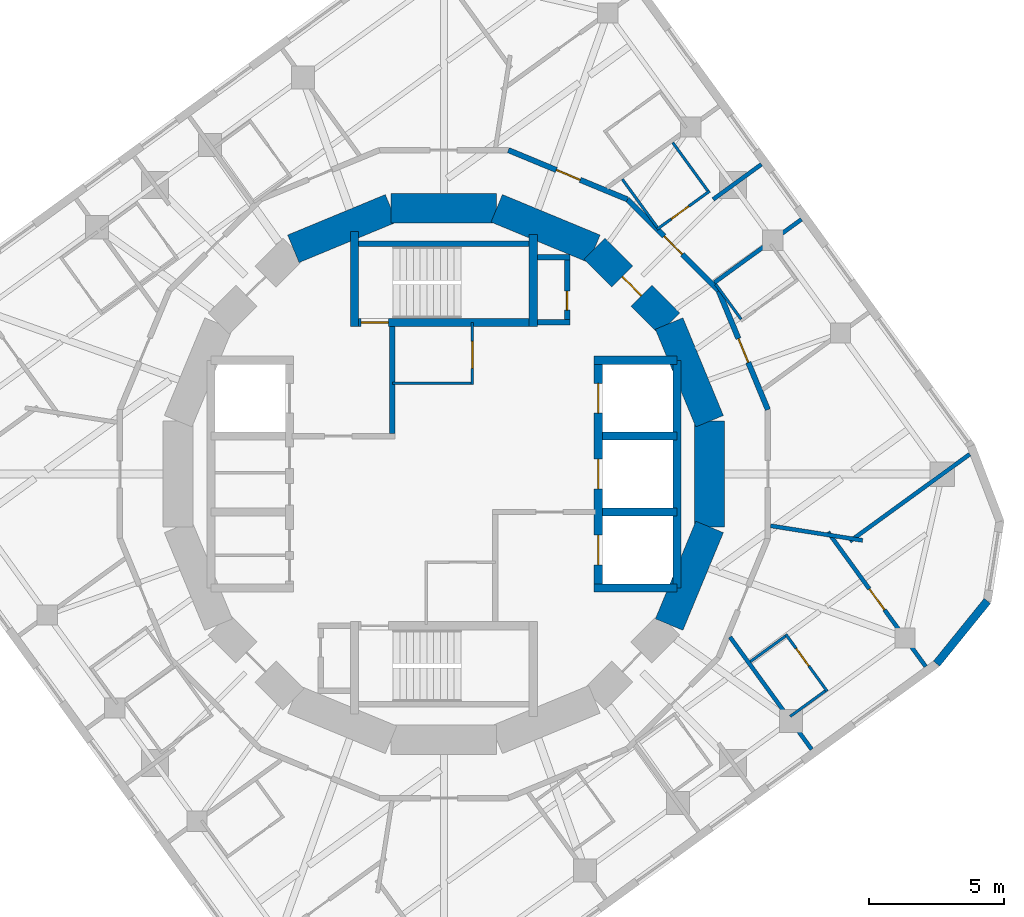
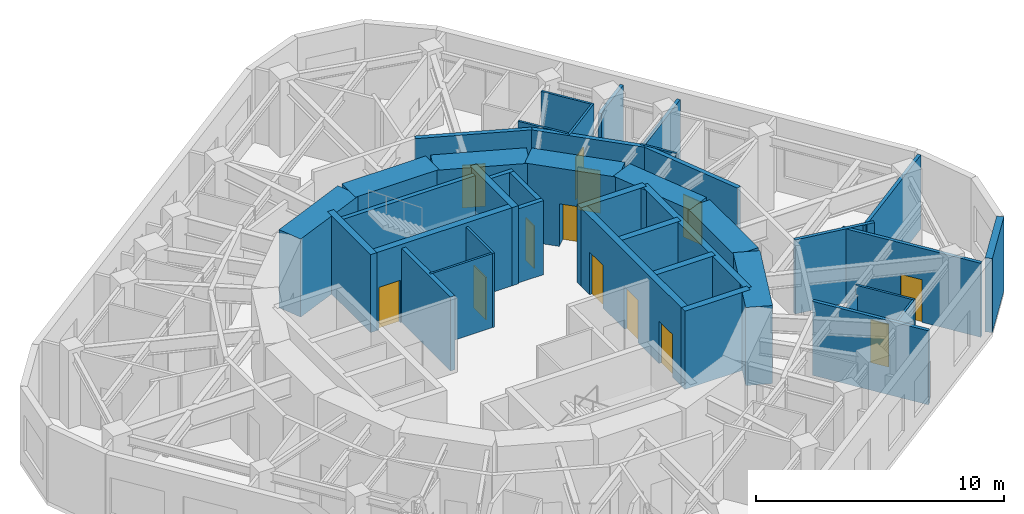
# One storey, part 6 of 9: 40 walls, 13 doors, 13 openings.
"""IFC4 building model written with IfcOpenShell, lengths in metres."""

import ifcopenshell
import ifcopenshell.guid

model = None  # the IFC model being written
_history = None  # IfcOwnerHistory: only IFC2X3 demands one
_inside = {}  # id of a spatial element -> (the spatial element, [elements in it])
_under = {}  # id of a project, library or spatial element -> (it, [spatial elements below it])
_declared = {}  # id of a project -> (the project, [libraries it declares])
_typed = {}  # id of a type object -> (the type object, [elements of that type])
_made_of = {}  # id of a material, layer set ... -> (it, [elements and type objects made of it])


def new_model(schema):
    """Start an empty IFC model of exactly this schema.

    Asked for "IFC4X3", IfcOpenShell would pick the latest addendum, in which some entities
    have other attributes; the version numbers below select the first issue.
    IFC2X3 requires an IfcOwnerHistory on every rooted entity: one is made here for all.
    """
    global model, _history
    if schema == "IFC4X3":
        model = ifcopenshell.file(schema_version=(4, 3, 0, 0))
    else:
        model = ifcopenshell.file(schema=schema)
    _inside.clear()
    _under.clear()
    _declared.clear()
    _typed.clear()
    _made_of.clear()
    _history = None
    if model.schema == "IFC2X3":
        org = make("IfcOrganization", Name="unknown")
        user = make(
            "IfcPersonAndOrganization",
            ThePerson=make("IfcPerson", FamilyName="unknown"),
            TheOrganization=org,
        )
        app = make(
            "IfcApplication",
            ApplicationDeveloper=org,
            Version="unknown",
            ApplicationFullName="unknown",
            ApplicationIdentifier="unknown",
        )
        _history = make(
            "IfcOwnerHistory",
            OwningUser=user,
            OwningApplication=app,
            ChangeAction="ADDED",
            CreationDate=0,
        )
    return model


def make(cls, **values):
    """One entity of the class cls with the attributes given. An attribute that is None is left unset."""
    return model.create_entity(
        cls, **{name: value for name, value in values.items() if value is not None}
    )


def rooted(cls, **values):
    """An entity with a GlobalId (a new one), such as an element, a storey or a relation."""
    return make(cls, GlobalId=ifcopenshell.guid.new(), OwnerHistory=_history, **values)


def si_unit(unit_type, name, prefix=None):
    """IfcSIUnit, for example si_unit("LENGTHUNIT", "METRE", prefix="MILLI")."""
    return make("IfcSIUnit", UnitType=unit_type, Prefix=prefix, Name=name)


def assignment(units):
    """IfcUnitAssignment: the units of a project."""
    return None if units is None else make("IfcUnitAssignment", Units=units)


def point(xyz):
    """IfcCartesianPoint."""
    return None if xyz is None else make("IfcCartesianPoint", Coordinates=xyz)


def direction(xyz):
    """IfcDirection."""
    return None if xyz is None else make("IfcDirection", DirectionRatios=xyz)


def frame(location, z_axis=None, x_axis=None):
    """IfcAxis2Placement3D, a coordinate frame: its origin and axes. An axis left out is left unset."""
    return make(
        "IfcAxis2Placement3D",
        Location=point(location),
        Axis=direction(z_axis),
        RefDirection=direction(x_axis),
    )


def frame_2d(location, x_axis=None):
    """IfcAxis2Placement2D, a coordinate frame in the plane: its origin and x axis."""
    return make(
        "IfcAxis2Placement2D", Location=point(location), RefDirection=direction(x_axis)
    )


def origin():
    """The frame at (0, 0, 0) with its axes left unset."""
    return frame((0.0, 0.0, 0.0))


def place(relative_to, where):
    """IfcLocalPlacement: puts the frame where relative to a parent placement (None: the world)."""
    return make(
        "IfcLocalPlacement", PlacementRelTo=relative_to, RelativePlacement=where
    )


def context(
    kind, dimensions, precision=None, world=None, true_north=None, identifier=None
):
    """IfcGeometricRepresentationContext, for example the 3D "Model" context."""
    return make(
        "IfcGeometricRepresentationContext",
        ContextIdentifier=identifier,
        ContextType=kind,
        CoordinateSpaceDimension=dimensions,
        Precision=precision,
        WorldCoordinateSystem=world,
        TrueNorth=true_north,
    )


def subcontext(parent, identifier, kind, view, scale=None):
    """IfcGeometricRepresentationSubContext, for example "Body" below "Model"."""
    return make(
        "IfcGeometricRepresentationSubContext",
        ContextIdentifier=identifier,
        ContextType=kind,
        ParentContext=parent,
        TargetScale=scale,
        TargetView=view,
    )


def project(units=None, contexts=None):
    """IfcProject with its units and contexts."""
    return rooted(
        "IfcProject",
        Name="project",
        RepresentationContexts=contexts,
        UnitsInContext=assignment(units),
    )


def spatial(cls, under=None, at=None, **own):
    """A site, building, storey or space (cls), placed at a placement, below another one or the project."""
    s = rooted(cls, ObjectPlacement=at, **own)
    if under is not None:
        _under.setdefault(under.id(), (under, []))[1].append(s)
    return s


def profile(cls, at=None, kind="AREA", **sizes):
    """A parametric profile (cls). Its sizes go by their IFC names, for example OverallWidth=200.0."""
    return make(cls, ProfileType=kind, Position=at, **sizes)


def rectangle(**sizes):
    """IfcRectangleProfileDef."""
    return profile("IfcRectangleProfileDef", **sizes)


def extrude(swept, where, along, depth):
    """IfcExtrudedAreaSolid: the profile swept, set in the frame where, extruded along a direction by depth."""
    return make(
        "IfcExtrudedAreaSolid",
        SweptArea=swept,
        Position=where,
        ExtrudedDirection=direction(along),
        Depth=depth,
    )


def shape(context_of_items, identifier, shape_type, items):
    """IfcShapeRepresentation: the items that make up one representation, for example the "Body"."""
    return make(
        "IfcShapeRepresentation",
        ContextOfItems=context_of_items,
        RepresentationIdentifier=identifier,
        RepresentationType=shape_type,
        Items=items,
    )


def material(Name=None, Category=None):
    """IfcMaterial."""
    return make("IfcMaterial", Name=Name, Category=Category)


def layer(
    of_material, thickness, ventilated=None, Name=None, Category=None, Priority=None
):
    """IfcMaterialLayer: one layer of a wall or slab, of a material (None: an air gap)."""
    return make(
        "IfcMaterialLayer",
        Material=of_material,
        LayerThickness=thickness,
        IsVentilated=ventilated,
        Name=Name,
        Category=Category,
        Priority=Priority,
    )


def layer_set(layers, Name=None):
    """IfcMaterialLayerSet."""
    return make("IfcMaterialLayerSet", MaterialLayers=layers, LayerSetName=Name)


def made_of(thing, what):
    """Note that an element or type object is made of a material, layer set ...; save() writes the relation."""
    if what is not None:
        _made_of.setdefault(what.id(), (what, []))[1].append(thing)
    return thing


def type_object(cls, material=None, **own):
    """A type object (cls), such as IfcWallType, which elements share."""
    return made_of(rooted(cls, **own), material)


def element(
    cls,
    number,
    at=None,
    inside=None,
    cuts=None,
    type_object=None,
    material=None,
    context=None,
    identifier="Body",
    shape_type=None,
    held_by="IfcProductDefinitionShape",
    body=None,
    shapes=None,
    **own,
):
    """One element of the class cls, such as IfcWall. Its Tag is "e" and its number.

    at: its placement. inside: the storey or other place that contains it. cuts: it is an
    opening in that element (IfcRelVoidsElement). A single representation is given by context,
    identifier, shape_type and body (its items); several are given by shapes. held_by: the class
    of the entity that holds the representations. save() writes the other relations.
    """
    e = rooted(cls, Tag="e%d" % number, ObjectPlacement=at, **own)
    if body is not None:
        shapes = [shape(context, identifier, shape_type, body)]
    if shapes is not None:
        e.Representation = make(held_by, Representations=shapes)
    if inside is not None:
        _inside.setdefault(inside.id(), (inside, []))[1].append(e)
    if cuts is not None:
        rooted(
            "IfcRelVoidsElement", RelatingBuildingElement=cuts, RelatedOpeningElement=e
        )
    if type_object is not None:
        _typed.setdefault(type_object.id(), (type_object, []))[1].append(e)
    return made_of(e, material)


def fill(opening, filler):
    """IfcRelFillsElement: the door or window that sits in an opening."""
    return rooted(
        "IfcRelFillsElement",
        RelatingOpeningElement=opening,
        RelatedBuildingElement=filler,
    )


def aggregate(whole, parts):
    """IfcRelAggregates: a whole, such as a stair, and the parts it consists of."""
    return rooted("IfcRelAggregates", RelatingObject=whole, RelatedObjects=parts)


def save(model, path):
    """Write the relations noted so far, then the file.

    IfcRelAggregates (storeys below a building ...), IfcRelContainedInSpatialStructure (elements
    in a storey), IfcRelDefinesByType, IfcRelAssociatesMaterial and IfcRelDeclares: one each for
    every whole, place, type object, material and project.
    """
    for whole, parts in _under.values():
        aggregate(whole, parts)
    for where, things in _inside.values():
        rooted(
            "IfcRelContainedInSpatialStructure",
            RelatedElements=things,
            RelatingStructure=where,
        )
    for kind, things in _typed.values():
        rooted("IfcRelDefinesByType", RelatedObjects=things, RelatingType=kind)
    for what, things in _made_of.values():
        rooted("IfcRelAssociatesMaterial", RelatedObjects=things, RelatingMaterial=what)
    for by, libraries in _declared.values():
        rooted("IfcRelDeclares", RelatingContext=by, RelatedDefinitions=libraries)
    model.write(path)


model = new_model("IFC4")

# Units and contexts
model_context = context("Model", 3, precision=1e-05, world=origin(), true_north=direction((0.0, 1.0)))
body_context = subcontext(model_context, "Body", "Model", "MODEL_VIEW")
ifc_project = project(units=[si_unit("LENGTHUNIT", "METRE"), si_unit("AREAUNIT", "SQUARE_METRE"), si_unit("VOLUMEUNIT", "CUBIC_METRE"), si_unit("PLANEANGLEUNIT", "RADIAN"), si_unit("MASSUNIT", "GRAM", prefix="KILO")], contexts=[model_context])

# Site, building, storey
site_placement = place(None, origin())
site = spatial("IfcSite", under=ifc_project, at=site_placement, CompositionType="ELEMENT")
building_placement = place(site_placement, origin())
building = spatial("IfcBuilding", under=site, at=building_placement, Name="Nakasero Lantern House", CompositionType="ELEMENT")
storey_placement = place(building_placement, frame((0.0, 0.0, 271.449951171875)))
storey = spatial("IfcBuildingStorey", under=building, at=storey_placement, Name="L66", CompositionType="ELEMENT", Elevation=271.449951171875)

# Wall, openings, doors
ifc_material_1 = material(Name="Concrete C50/60", Category="concrete")
ifc_layer_1 = layer(ifc_material_1, 0.300048828125)
ifc_layer_set_1 = layer_set([ifc_layer_1], Name="Core inner wall 300")
wall_type_1 = type_object("IfcWallType", Name="Core inner wall 300", PredefinedType="SHEAR", material=ifc_layer_set_1)
wall_1_placement = place(storey_placement, frame((5.699951171875, -4.199951171875, 0.0), z_axis=(0.0, 0.0, 1.0), x_axis=(0.0, 1.0, 0.0)))
wall_1 = element("IfcWall", 1, at=wall_1_placement, inside=storey, type_object=wall_type_1, Name="Core inner wall L66 LE", PredefinedType="SHEAR", context=body_context, shape_type="SweptSolid", body=[
    extrude(rectangle(XDim=8.39990234375, YDim=0.300048828125, at=frame_2d((4.199951171875, 0.0))), origin(), (0.0, 0.0, 1.0), 3.85009765625),
])
opening_1_placement = place(wall_1_placement, frame((0.85009765625, 0.0, 0.0)))
opening_1 = element("IfcOpeningElement", 2, at=opening_1_placement, cuts=wall_1, Name="Opening LD", PredefinedType="OPENING", context=body_context, shape_type="SweptSolid", body=[
    extrude(rectangle(XDim=1.10009765625, YDim=2.10009765625, at=frame_2d((0.550048828125, 1.050048828125))), frame((0.0, 0.169921875, 0.0), z_axis=(0.0, -1.0, 0.0), x_axis=(1.0, 0.0, 0.0)), (0.0, 0.0, 1.0), 0.340087890625),
])
opening_2_placement = place(wall_1_placement, frame((3.64990234375, 0.0, 0.0)))
opening_2 = element("IfcOpeningElement", 3, at=opening_2_placement, cuts=wall_1, Name="Opening LD", PredefinedType="OPENING", context=body_context, shape_type="SweptSolid", body=[
    extrude(rectangle(XDim=1.10009765625, YDim=2.10009765625, at=frame_2d((0.550048828125, 1.050048828125))), frame((0.0, 0.169921875, 0.0), z_axis=(0.0, -1.0, 0.0), x_axis=(1.0, 0.0, 0.0)), (0.0, 0.0, 1.0), 0.340087890625),
])
opening_3_placement = place(wall_1_placement, frame((6.449951171875, 0.0, 0.0)))
opening_3 = element("IfcOpeningElement", 4, at=opening_3_placement, cuts=wall_1, Name="Opening LD", PredefinedType="OPENING", context=body_context, shape_type="SweptSolid", body=[
    extrude(rectangle(XDim=1.10009765625, YDim=2.10009765625, at=frame_2d((0.550048828125, 1.050048828125))), frame((0.0, 0.169921875, 0.0), z_axis=(0.0, -1.0, 0.0), x_axis=(1.0, 0.0, 0.0)), (0.0, 0.0, 1.0), 0.340087890625),
])
ifc_material_2 = material(Name="Steel S355", Category="steel")
door_type_1 = type_object("IfcDoorType", Name="Lift landing door E120 1100", OperationType="SLIDING_TO_LEFT", PredefinedType="DOOR", material=ifc_material_2)
door_1_placement = place(opening_1_placement, origin())
door_1 = element("IfcDoor", 5, at=door_1_placement, inside=storey, type_object=door_type_1, Name="Lift landing door LE1", OperationType="SLIDING_TO_LEFT", OverallHeight=2.10009765625, OverallWidth=1.10009765625, PredefinedType="DOOR", context=body_context, shape_type="SweptSolid", body=[
    extrude(rectangle(XDim=1.10009765625, YDim=2.10009765625, at=frame_2d((0.550048828125, 1.050048828125))), frame((0.0, 0.02490234375, 0.0), z_axis=(0.0, -1.0, 0.0), x_axis=(1.0, 0.0, 0.0)), (0.0, 0.0, 1.0), 0.050048828125),
])
fill(opening_1, door_1)
door_2_placement = place(opening_2_placement, origin())
door_2 = element("IfcDoor", 6, at=door_2_placement, inside=storey, type_object=door_type_1, Name="Lift landing door LE2", OperationType="SLIDING_TO_LEFT", OverallHeight=2.10009765625, OverallWidth=1.10009765625, PredefinedType="DOOR", context=body_context, shape_type="SweptSolid", body=[
    extrude(rectangle(XDim=1.10009765625, YDim=2.10009765625, at=frame_2d((0.550048828125, 1.050048828125))), frame((0.0, 0.02490234375, 0.0), z_axis=(0.0, -1.0, 0.0), x_axis=(1.0, 0.0, 0.0)), (0.0, 0.0, 1.0), 0.050048828125),
])
fill(opening_2, door_2)
door_3_placement = place(opening_3_placement, origin())
door_3 = element("IfcDoor", 7, at=door_3_placement, inside=storey, type_object=door_type_1, Name="Lift landing door LE3", OperationType="SLIDING_TO_LEFT", OverallHeight=2.10009765625, OverallWidth=1.10009765625, PredefinedType="DOOR", context=body_context, shape_type="SweptSolid", body=[
    extrude(rectangle(XDim=1.10009765625, YDim=2.10009765625, at=frame_2d((0.550048828125, 1.050048828125))), frame((0.0, 0.02490234375, 0.0), z_axis=(0.0, -1.0, 0.0), x_axis=(1.0, 0.0, 0.0)), (0.0, 0.0, 1.0), 0.050048828125),
])
fill(opening_3, door_3)

# Walls
for number, where, z_axis, x_axis, name in (
    (8, (5.550048828125, 4.199951171875, 0.0), (0.0, 0.0, 1.0), (1.0, 0.0, 0.0), "Core inner wall L66 LEN"),
    (9, (5.550048828125, -4.199951171875, 0.0), (0.0, 0.0, 1.0), (1.0, 0.0, 0.0), "Core inner wall L66 LES"),
):
    element("IfcWall", number, at=place(storey_placement, frame(where, z_axis=z_axis, x_axis=x_axis)), inside=storey, type_object=wall_type_1, Name=name, PredefinedType="SHEAR", context=body_context, shape_type="SweptSolid", body=[
        extrude(rectangle(XDim=3.050048828125, YDim=0.300048828125, at=frame_2d((1.52490234375, 0.0))), origin(), (0.0, 0.0, 1.0), 3.85009765625),
    ])
wall_2_placement = place(storey_placement, frame((8.60009765625, -4.199951171875, 0.0), z_axis=(0.0, 0.0, 1.0), x_axis=(0.0, 1.0, 0.0)))
element("IfcWall", 10, at=wall_2_placement, inside=storey, type_object=wall_type_1, Name="Core inner wall L66 LEB", PredefinedType="SHEAR", context=body_context, shape_type="SweptSolid", body=[
    extrude(rectangle(XDim=8.39990234375, YDim=0.300048828125, at=frame_2d((4.199951171875, 0.0))), origin(), (0.0, 0.0, 1.0), 3.85009765625),
])
for number, where, z_axis, x_axis, name in (
    (11, (5.85009765625, -1.39990234375, 0.0), (0.0, 0.0, 1.0), (1.0, 0.0, 0.0), "Core inner wall L66 LE1"),
    (12, (5.85009765625, 1.39990234375, 0.0), (0.0, 0.0, 1.0), (1.0, 0.0, 0.0), "Core inner wall L66 LE2"),
):
    element("IfcWall", number, at=place(storey_placement, frame(where, z_axis=z_axis, x_axis=x_axis)), inside=storey, type_object=wall_type_1, Name=name, PredefinedType="SHEAR", context=body_context, shape_type="SweptSolid", body=[
        extrude(rectangle(XDim=2.75, YDim=0.300048828125, at=frame_2d((1.375, 0.0))), origin(), (0.0, 0.0, 1.0), 3.85009765625),
    ])

# Wall, opening, door
wall_3_placement = place(storey_placement, frame((-3.449951171875, 5.60009765625, 0.0), z_axis=(0.0, 0.0, 1.0), x_axis=(1.0, 0.0, 0.0)))
wall_3 = element("IfcWall", 13, at=wall_3_placement, inside=storey, type_object=wall_type_1, Name="Core inner wall L66 SN", PredefinedType="SHEAR", context=body_context, shape_type="SweptSolid", body=[
    extrude(rectangle(XDim=6.89990234375, YDim=0.300048828125, at=frame_2d((3.449951171875, 0.0))), origin(), (0.0, 0.0, 1.0), 3.85009765625),
])
opening_4_placement = place(wall_3_placement, frame((0.39990234375, 0.0, 0.0)))
opening_4 = element("IfcOpeningElement", 14, at=opening_4_placement, cuts=wall_3, Name="Opening D05", PredefinedType="OPENING", context=body_context, shape_type="SweptSolid", body=[
    extrude(rectangle(XDim=1.0, YDim=2.10009765625, at=frame_2d((0.5, 1.050048828125))), frame((0.0, 0.169921875, 0.0), z_axis=(0.0, -1.0, 0.0), x_axis=(1.0, 0.0, 0.0)), (0.0, 0.0, 1.0), 0.340087890625),
])
ifc_material_3 = material(Name="Timber C24", Category="wood")
door_type_2 = type_object("IfcDoorType", Name="Core door FD60S 1000", OperationType="SINGLE_SWING_LEFT", PredefinedType="DOOR", material=ifc_material_3)
door_4_placement = place(opening_4_placement, origin())
door_4 = element("IfcDoor", 15, at=door_4_placement, inside=storey, type_object=door_type_2, Name="Door L66 D-ST1", OperationType="SINGLE_SWING_LEFT", OverallHeight=2.10009765625, OverallWidth=1.0, PredefinedType="DOOR", context=body_context, shape_type="SweptSolid", body=[
    extrude(rectangle(XDim=1.0, YDim=2.10009765625, at=frame_2d((0.5, 1.050048828125))), frame((0.0, 0.02490234375, 0.0), z_axis=(0.0, -1.0, 0.0), x_axis=(1.0, 0.0, 0.0)), (0.0, 0.0, 1.0), 0.050048828125),
])
fill(opening_4, door_4)

# Walls
wall_4_placement = place(storey_placement, frame((-3.300048828125, 5.449951171875, 0.0), z_axis=(0.0, 0.0, 1.0), x_axis=(0.0, 1.0, 0.0)))
element("IfcWall", 16, at=wall_4_placement, inside=storey, type_object=wall_type_1, Name="Core inner wall L66 SNW", PredefinedType="SHEAR", context=body_context, shape_type="SweptSolid", body=[
    extrude(rectangle(XDim=3.5, YDim=0.300048828125, at=frame_2d((1.75, 0.0))), origin(), (0.0, 0.0, 1.0), 3.85009765625),
])
wall_5_placement = place(storey_placement, frame((3.300048828125, 5.449951171875, 0.0), z_axis=(0.0, 0.0, 1.0), x_axis=(0.0, 1.0, 0.0)))
element("IfcWall", 17, at=wall_5_placement, inside=storey, type_object=wall_type_1, Name="Core inner wall L66 SNE", PredefinedType="SHEAR", context=body_context, shape_type="SweptSolid", body=[
    extrude(rectangle(XDim=3.400146484375, YDim=0.300048828125, at=frame_2d((1.7001953125, 0.0))), origin(), (0.0, 0.0, 1.0), 3.85009765625),
])
ifc_material_4 = material(Name="Blockwork", Category="masonry")
ifc_layer_2 = layer(ifc_material_4, 0.10009765625)
ifc_layer_set_2 = layer_set([ifc_layer_2], Name="Core room wall 100")
wall_type_2 = type_object("IfcWallType", Name="Core room wall 100", PredefinedType="PARTITIONING", material=ifc_layer_set_2)
wall_6_placement = place(storey_placement, frame((-1.89990234375, 3.35009765625, 0.0), z_axis=(0.0, 0.0, 1.0), x_axis=(1.0, 0.0, 0.0)))
element("IfcWall", 18, at=wall_6_placement, inside=storey, type_object=wall_type_2, Name="Core room wall L66 CR-NES", PredefinedType="PARTITIONING", context=body_context, shape_type="SweptSolid", body=[
    extrude(rectangle(XDim=3.0, YDim=0.10009765625, at=frame_2d((1.5, 0.0))), origin(), (0.0, 0.0, 1.0), 3.650146484375),
])

# Wall, opening, door
wall_7_placement = place(storey_placement, frame((1.050048828125, 3.300048828125, 0.0), z_axis=(0.0, 0.0, 1.0), x_axis=(0.0, 1.0, 0.0)))
wall_7 = element("IfcWall", 19, at=wall_7_placement, inside=storey, type_object=wall_type_2, Name="Core room wall L66 CR-NEE", PredefinedType="PARTITIONING", context=body_context, shape_type="SweptSolid", body=[
    extrude(rectangle(XDim=2.300048828125, YDim=0.10009765625, at=frame_2d((1.14990234375, 0.0))), origin(), (0.0, 0.0, 1.0), 3.650146484375),
])
opening_5_placement = place(wall_7_placement, frame((0.60009765625, 0.0, 0.0)))
opening_5 = element("IfcOpeningElement", 20, at=opening_5_placement, cuts=wall_7, Name="Opening D13", PredefinedType="OPENING", context=body_context, shape_type="SweptSolid", body=[
    extrude(rectangle(XDim=1.0, YDim=2.10009765625, at=frame_2d((0.5, 1.050048828125))), frame((0.0, 0.070068359375, 0.0), z_axis=(0.0, -1.0, 0.0), x_axis=(1.0, 0.0, 0.0)), (0.0, 0.0, 1.0), 0.14013671875),
])
ifc_material_5 = material(Name="Steel S355", Category="steel")
door_type_3 = type_object("IfcDoorType", Name="Plant room door FD60 1000", OperationType="SINGLE_SWING_LEFT", PredefinedType="DOOR", material=ifc_material_5)
door_5_placement = place(opening_5_placement, origin())
door_5 = element("IfcDoor", 21, at=door_5_placement, inside=storey, type_object=door_type_3, Name="Door L66 D-CR-NE", OperationType="SINGLE_SWING_LEFT", OverallHeight=2.10009765625, OverallWidth=1.0, PredefinedType="DOOR", context=body_context, shape_type="SweptSolid", body=[
    extrude(rectangle(XDim=1.0, YDim=2.10009765625, at=frame_2d((0.5, 1.050048828125))), frame((0.0, 0.02490234375, 0.0), z_axis=(0.0, -1.0, 0.0), x_axis=(1.0, 0.0, 0.0)), (0.0, 0.0, 1.0), 0.050048828125),
])
fill(opening_5, door_5)

# Wall
ifc_material_6 = material(Name="Concrete C50/60", Category="concrete")
ifc_layer_3 = layer(ifc_material_6, 1.10009765625)
ifc_layer_set_3 = layer_set([ifc_layer_3], Name="Core wall 1100")
wall_type_3 = type_object("IfcWallType", Name="Core wall 1100", PredefinedType="SHEAR", material=ifc_layer_set_3)
wall_8_placement = place(storey_placement, frame((9.807861328125, 1.950927734375, 0.0), z_axis=(0.0, 0.0, 1.0), x_axis=(-0.382690736062, 0.923876507187, 0.0)))
element("IfcWall", 22, at=wall_8_placement, inside=storey, type_object=wall_type_3, Name="Core wall L66 facet 1", PredefinedType="SHEAR", context=body_context, shape_type="SweptSolid", body=[
    extrude(rectangle(XDim=3.90185546875, YDim=1.10009765625, at=frame_2d((1.950927734375, 0.0))), origin(), (0.0, 0.0, 1.0), 3.85009765625),
])

# Wall, opening, door
wall_9_placement = place(storey_placement, frame((8.314697265625, 5.5556640625, 0.0), z_axis=(0.0, 0.0, 1.0), x_axis=(-0.707106781187, 0.707106781187, 0.0)))
wall_9 = element("IfcWall", 23, at=wall_9_placement, inside=storey, type_object=wall_type_3, Name="Core wall L66 facet 2", PredefinedType="SHEAR", context=body_context, shape_type="SweptSolid", body=[
    extrude(rectangle(XDim=3.90185546875, YDim=1.10009765625, at=frame_2d((1.950927734375, 0.0))), origin(), (0.0, 0.0, 1.0), 3.85009765625),
])
opening_6_placement = place(wall_9_placement, frame((1.450927734375, 0.0, 0.0)))
opening_6 = element("IfcOpeningElement", 24, at=opening_6_placement, cuts=wall_9, Name="Opening D05", PredefinedType="OPENING", context=body_context, shape_type="SweptSolid", body=[
    extrude(rectangle(XDim=1.0, YDim=2.10009765625, at=frame_2d((0.5, 1.050048828125))), frame((0.0, 0.570068359375, 0.0), z_axis=(0.0, -1.0, 0.0), x_axis=(1.0, 0.0, 0.0)), (0.0, 0.0, 1.0), 1.14013671875),
])
door_6_placement = place(opening_6_placement, origin())
door_6 = element("IfcDoor", 25, at=door_6_placement, inside=storey, type_object=door_type_2, Name="Door L66 D-CORE02", OperationType="SINGLE_SWING_LEFT", OverallHeight=2.10009765625, OverallWidth=1.0, PredefinedType="DOOR", context=body_context, shape_type="SweptSolid", body=[
    extrude(rectangle(XDim=1.0, YDim=2.10009765625, at=frame_2d((0.5, 1.050048828125))), frame((0.0, 0.02490234375, 0.0), z_axis=(0.0, -1.0, 0.0), x_axis=(1.0, 0.0, 0.0)), (0.0, 0.0, 1.0), 0.050048828125),
])
fill(opening_6, door_6)

# Walls
for number, where, z_axis, x_axis, name in (
    (26, (5.5556640625, 8.314697265625, 0.0), (0.0, 0.0, 1.0), (-0.923876507187, 0.382690736062, 0.0), "Core wall L66 facet 3"),
    (27, (1.950927734375, 9.807861328125, 0.0), (0.0, 0.0, 1.0), (-1.0, 0.0, 0.0), "Core wall L66 facet 4"),
    (28, (-1.950927734375, 9.807861328125, 0.0), (0.0, 0.0, 1.0), (-0.923876507187, -0.382690736062, 0.0), "Core wall L66 facet 5"),
    (29, (8.314697265625, -5.5556640625, 0.0), (0.0, 0.0, 1.0), (0.382690736062, 0.923876507187, 0.0), "Core wall L66 facet 15"),
    (30, (9.807861328125, -1.950927734375, 0.0), (0.0, 0.0, 1.0), (0.0, 1.0, 0.0), "Core wall L66 facet 16"),
):
    element("IfcWall", number, at=place(storey_placement, frame(where, z_axis=z_axis, x_axis=x_axis)), inside=storey, type_object=wall_type_3, Name=name, PredefinedType="SHEAR", context=body_context, shape_type="SweptSolid", body=[
        extrude(rectangle(XDim=3.90185546875, YDim=1.10009765625, at=frame_2d((1.950927734375, 0.0))), origin(), (0.0, 0.0, 1.0), 3.85009765625),
    ])

# Wall, opening, door
ifc_material_7 = material(Name="Blockwork", Category="masonry")
ifc_layer_4 = layer(ifc_material_7, 0.199951171875)
ifc_layer_set_4 = layer_set([ifc_layer_4], Name="Corridor wall 200")
wall_type_4 = type_object("IfcWallType", Name="Corridor wall 200", PredefinedType="PARTITIONING", material=ifc_layer_set_4)
wall_10_placement = place(storey_placement, frame((2.378662109375, 11.957763671875, 0.0), z_axis=(0.0, 0.0, 1.0), x_axis=(0.923891735412, -0.382653970627, 0.0)))
wall_10 = element("IfcWall", 31, at=wall_10_placement, inside=storey, type_object=wall_type_4, Name="Corridor wall L66 RC13a", PredefinedType="PARTITIONING", context=body_context, shape_type="SweptSolid", body=[
    extrude(rectangle(XDim=4.757080078125, YDim=0.199951171875, at=frame_2d((2.37841796875, 0.0))), origin(), (0.0, 0.0, 1.0), 3.650146484375),
])
opening_7_placement = place(wall_10_placement, frame((1.919921875, 0.0, 0.0)))
opening_7 = element("IfcOpeningElement", 32, at=opening_7_placement, cuts=wall_10, Name="Opening D01", PredefinedType="OPENING", context=body_context, shape_type="SweptSolid", body=[
    extrude(rectangle(XDim=0.949951171875, YDim=2.10009765625, at=frame_2d((0.47509765625, 1.050048828125))), frame((0.0, 0.119873046875, 0.0), z_axis=(0.0, -1.0, 0.0), x_axis=(1.0, 0.0, 0.0)), (0.0, 0.0, 1.0), 0.239990234375),
])
ifc_material_8 = material(Name="Timber C24", Category="wood")
door_type_4 = type_object("IfcDoorType", Name="Bedroom door FD30S 950", OperationType="SINGLE_SWING_LEFT", PredefinedType="DOOR", material=ifc_material_8)
door_7_placement = place(opening_7_placement, origin())
door_7 = element("IfcDoor", 33, at=door_7_placement, inside=storey, type_object=door_type_4, Name="Door L66 D0-06", OperationType="SINGLE_SWING_RIGHT", OverallHeight=2.10009765625, OverallWidth=0.949951171875, PredefinedType="DOOR", context=body_context, shape_type="SweptSolid", body=[
    extrude(rectangle(XDim=0.949951171875, YDim=2.10009765625, at=frame_2d((0.47509765625, 1.050048828125))), frame((0.0, 0.02490234375, 0.0), z_axis=(0.0, -1.0, 0.0), x_axis=(1.0, 0.0, 0.0)), (0.0, 0.0, 1.0), 0.050048828125),
])
fill(opening_7, door_7)

wall_11_placement = place(storey_placement, frame((6.773681640625, 10.137451171875, 0.0), z_axis=(0.0, 0.0, 1.0), x_axis=(0.707106781187, -0.707106781187, 0.0)))
wall_11 = element("IfcWall", 34, at=wall_11_placement, inside=storey, type_object=wall_type_4, Name="Corridor wall L66 RC14a", PredefinedType="PARTITIONING", context=body_context, shape_type="SweptSolid", body=[
    extrude(rectangle(XDim=4.757080078125, YDim=0.199951171875, at=frame_2d((2.37841796875, 0.0))), origin(), (0.0, 0.0, 1.0), 3.650146484375),
])
opening_8_placement = place(wall_11_placement, frame((1.919921875, 0.0, 0.0)))
opening_8 = element("IfcOpeningElement", 35, at=opening_8_placement, cuts=wall_11, Name="Opening D01", PredefinedType="OPENING", context=body_context, shape_type="SweptSolid", body=[
    extrude(rectangle(XDim=0.949951171875, YDim=2.10009765625, at=frame_2d((0.47509765625, 1.050048828125))), frame((0.0, 0.119873046875, 0.0), z_axis=(0.0, -1.0, 0.0), x_axis=(1.0, 0.0, 0.0)), (0.0, 0.0, 1.0), 0.239990234375),
])
door_8_placement = place(opening_8_placement, origin())
door_8 = element("IfcDoor", 36, at=door_8_placement, inside=storey, type_object=door_type_4, Name="Door L66 D0-04", OperationType="SINGLE_SWING_RIGHT", OverallHeight=2.10009765625, OverallWidth=0.949951171875, PredefinedType="DOOR", context=body_context, shape_type="SweptSolid", body=[
    extrude(rectangle(XDim=0.949951171875, YDim=2.10009765625, at=frame_2d((0.47509765625, 1.050048828125))), frame((0.0, 0.02490234375, 0.0), z_axis=(0.0, -1.0, 0.0), x_axis=(1.0, 0.0, 0.0)), (0.0, 0.0, 1.0), 0.050048828125),
])
fill(opening_8, door_8)

wall_12_placement = place(storey_placement, frame((10.137451171875, 6.773681640625, 0.0), z_axis=(0.0, 0.0, 1.0), x_axis=(0.382653970627, -0.923891735412, 0.0)))
wall_12 = element("IfcWall", 37, at=wall_12_placement, inside=storey, type_object=wall_type_4, Name="Corridor wall L66 RC15a", PredefinedType="PARTITIONING", context=body_context, shape_type="SweptSolid", body=[
    extrude(rectangle(XDim=4.757080078125, YDim=0.199951171875, at=frame_2d((2.37841796875, 0.0))), origin(), (0.0, 0.0, 1.0), 3.650146484375),
])
opening_9_placement = place(wall_12_placement, frame((1.919921875, 0.0, 0.0)))
opening_9 = element("IfcOpeningElement", 38, at=opening_9_placement, cuts=wall_12, Name="Opening D01", PredefinedType="OPENING", context=body_context, shape_type="SweptSolid", body=[
    extrude(rectangle(XDim=0.949951171875, YDim=2.10009765625, at=frame_2d((0.47509765625, 1.050048828125))), frame((0.0, 0.119873046875, 0.0), z_axis=(0.0, -1.0, 0.0), x_axis=(1.0, 0.0, 0.0)), (0.0, 0.0, 1.0), 0.239990234375),
])
door_9_placement = place(opening_9_placement, origin())
door_9 = element("IfcDoor", 39, at=door_9_placement, inside=storey, type_object=door_type_4, Name="Door L66 D0-03", OperationType="SINGLE_SWING_RIGHT", OverallHeight=2.10009765625, OverallWidth=0.949951171875, PredefinedType="DOOR", context=body_context, shape_type="SweptSolid", body=[
    extrude(rectangle(XDim=0.949951171875, YDim=2.10009765625, at=frame_2d((0.47509765625, 1.050048828125))), frame((0.0, 0.02490234375, 0.0), z_axis=(0.0, -1.0, 0.0), x_axis=(1.0, 0.0, 0.0)), (0.0, 0.0, 1.0), 0.050048828125),
])
fill(opening_9, door_9)

# Wall
ifc_material_9 = material(Name="Blockwork", Category="masonry")
ifc_layer_5 = layer(ifc_material_9, 0.10009765625)
ifc_layer_set_5 = layer_set([ifc_layer_5], Name="En-suite wall 100")
wall_type_5 = type_object("IfcWallType", Name="En-suite wall 100", PredefinedType="PARTITIONING", material=ifc_layer_set_5)
wall_13_placement = place(storey_placement, frame((10.9716796875, 5.713623046875, 0.0), z_axis=(0.0, 0.0, 1.0), x_axis=(-0.587772420479, 0.809026317077, 0.0)))
element("IfcWall", 40, at=wall_13_placement, inside=storey, type_object=wall_type_5, Name="En-suite wall L66 EI0-03", PredefinedType="PARTITIONING", context=body_context, shape_type="SweptSolid", body=[
    extrude(rectangle(XDim=1.60009765625, YDim=0.10009765625, at=frame_2d((0.800048828125, 0.0))), origin(), (0.0, 0.0, 1.0), 3.650146484375),
])

# Wall, opening, door
wall_14_placement = place(storey_placement, frame((7.867431640625, 9.0341796875, 0.0), z_axis=(0.0, 0.0, 1.0), x_axis=(0.809026317077, 0.587772420479, 0.0)))
wall_14 = element("IfcWall", 41, at=wall_14_placement, inside=storey, type_object=wall_type_5, Name="En-suite wall L66 ES0-04", PredefinedType="PARTITIONING", context=body_context, shape_type="SweptSolid", body=[
    extrude(rectangle(XDim=2.39990234375, YDim=0.10009765625, at=frame_2d((1.199951171875, 0.0))), origin(), (0.0, 0.0, 1.0), 3.650146484375),
])
opening_10_placement = place(wall_14_placement, frame((0.64990234375, 0.0, 0.0)))
opening_10 = element("IfcOpeningElement", 42, at=opening_10_placement, cuts=wall_14, Name="Opening D02", PredefinedType="OPENING", context=body_context, shape_type="SweptSolid", body=[
    extrude(rectangle(XDim=0.800048828125, YDim=2.10009765625, at=frame_2d((0.39990234375, 1.050048828125))), frame((0.0, 0.070068359375, 0.0), z_axis=(0.0, -1.0, 0.0), x_axis=(1.0, 0.0, 0.0)), (0.0, 0.0, 1.0), 0.14013671875),
])
ifc_material_10 = material(Name="Timber C24", Category="wood")
door_type_5 = type_object("IfcDoorType", Name="En-suite door 800", OperationType="SINGLE_SWING_RIGHT", PredefinedType="DOOR", material=ifc_material_10)
door_10_placement = place(opening_10_placement, origin())
door_10 = element("IfcDoor", 43, at=door_10_placement, inside=storey, type_object=door_type_5, Name="Door L66 DE0-04", OperationType="SINGLE_SWING_LEFT", OverallHeight=2.10009765625, OverallWidth=0.800048828125, PredefinedType="DOOR", context=body_context, shape_type="SweptSolid", body=[
    extrude(rectangle(XDim=0.800048828125, YDim=2.10009765625, at=frame_2d((0.39990234375, 1.050048828125))), frame((0.0, 0.02490234375, 0.0), z_axis=(0.0, -1.0, 0.0), x_axis=(1.0, 0.0, 0.0)), (0.0, 0.0, 1.0), 0.050048828125),
])
fill(opening_10, door_10)

# Walls
for number, where, z_axis, x_axis, name in (
    (44, (9.7392578125, 10.4560546875, 0.0), (0.0, 0.0, 1.0), (-0.587821928992, 0.808990345923, 0.0), "En-suite wall L66 EE0-04"),
    (45, (7.87841796875, 9.10400390625, 0.0), (0.0, 0.0, 1.0), (-0.587749294152, 0.809043118272, 0.0), "En-suite wall L66 EI0-04"),
):
    element("IfcWall", number, at=place(storey_placement, frame(where, z_axis=z_axis, x_axis=x_axis)), inside=storey, type_object=wall_type_5, Name=name, PredefinedType="PARTITIONING", context=body_context, shape_type="SweptSolid", body=[
        extrude(rectangle(XDim=2.199951171875, YDim=0.10009765625, at=frame_2d((1.10009765625, 0.0))), origin(), (0.0, 0.0, 1.0), 3.650146484375),
    ])

# Wall, opening, door
wall_15_placement = place(storey_placement, frame((12.619384765625, -5.91162109375, 0.0), z_axis=(0.0, 0.0, 1.0), x_axis=(0.587730526155, -0.809056752413, 0.0)))
wall_15 = element("IfcWall", 46, at=wall_15_placement, inside=storey, type_object=wall_type_5, Name="En-suite wall L66 ES3-06", PredefinedType="PARTITIONING", context=body_context, shape_type="SweptSolid", body=[
    extrude(rectangle(XDim=2.599853515625, YDim=0.10009765625, at=frame_2d((1.2998046875, 0.0))), origin(), (0.0, 0.0, 1.0), 3.650146484375),
])
opening_11_placement = place(wall_15_placement, frame((0.64990234375, 0.0, 0.0)))
opening_11 = element("IfcOpeningElement", 47, at=opening_11_placement, cuts=wall_15, Name="Opening D02", PredefinedType="OPENING", context=body_context, shape_type="SweptSolid", body=[
    extrude(rectangle(XDim=0.800048828125, YDim=2.10009765625, at=frame_2d((0.39990234375, 1.050048828125))), frame((0.0, 0.070068359375, 0.0), z_axis=(0.0, -1.0, 0.0), x_axis=(1.0, 0.0, 0.0)), (0.0, 0.0, 1.0), 0.14013671875),
])
door_11_placement = place(opening_11_placement, origin())
door_11 = element("IfcDoor", 48, at=door_11_placement, inside=storey, type_object=door_type_5, Name="Door L66 DE3-06", OperationType="SINGLE_SWING_LEFT", OverallHeight=2.10009765625, OverallWidth=0.800048828125, PredefinedType="DOOR", context=body_context, shape_type="SweptSolid", body=[
    extrude(rectangle(XDim=0.800048828125, YDim=2.10009765625, at=frame_2d((0.39990234375, 1.050048828125))), frame((0.0, 0.02490234375, 0.0), z_axis=(0.0, -1.0, 0.0), x_axis=(1.0, 0.0, 0.0)), (0.0, 0.0, 1.0), 0.050048828125),
])
fill(opening_11, door_11)

# Walls
wall_16_placement = place(storey_placement, frame((12.783203125, -8.9443359375, 0.0), z_axis=(0.0, 0.0, 1.0), x_axis=(0.809026317077, 0.587772420479, 0.0)))
element("IfcWall", 49, at=wall_16_placement, inside=storey, type_object=wall_type_5, Name="En-suite wall L66 EE3-06", PredefinedType="PARTITIONING", context=body_context, shape_type="SweptSolid", body=[
    extrude(rectangle(XDim=1.60009765625, YDim=0.10009765625, at=frame_2d((0.800048828125, 0.0))), origin(), (0.0, 0.0, 1.0), 3.650146484375),
])
wall_17_placement = place(storey_placement, frame((11.313720703125, -6.921875, 0.0), z_axis=(0.0, 0.0, 1.0), x_axis=(0.809026317077, 0.587772420479, 0.0)))
element("IfcWall", 50, at=wall_17_placement, inside=storey, type_object=wall_type_5, Name="En-suite wall L66 EI3-06", PredefinedType="PARTITIONING", context=body_context, shape_type="SweptSolid", body=[
    extrude(rectangle(XDim=1.60009765625, YDim=0.10009765625, at=frame_2d((0.800048828125, 0.0))), origin(), (0.0, 0.0, 1.0), 3.18994140625),
])
ifc_material_11 = material(Name="Aluminium rainscreen on blockwork", Category="masonry")
ifc_layer_6 = layer(ifc_material_11, 0.300048828125)
ifc_layer_set_6 = layer_set([ifc_layer_6], Name="Facade wall 300")
wall_type_6 = type_object("IfcWallType", Name="Facade wall 300", PredefinedType="SOLIDWALL", material=ifc_layer_set_6)
wall_18_placement = place(storey_placement, frame((18.185791015625, -6.996826171875, 0.0), z_axis=(0.0, 0.0, 1.0), x_axis=(0.629375183362, 0.777101588319, 0.0)))
element("IfcWall", 51, at=wall_18_placement, inside=storey, type_object=wall_type_6, Name="Facade wall L66 FW3C1", PredefinedType="SOLIDWALL", context=body_context, shape_type="SweptSolid", body=[
    extrude(rectangle(XDim=2.976318359375, YDim=0.300048828125, at=frame_2d((1.48828125, 0.0))), origin(), (0.0, 0.0, 1.0), 3.650146484375),
])
ifc_material_12 = material(Name="Blockwork", Category="masonry")
ifc_layer_7 = layer(ifc_material_12, 0.199951171875)
ifc_layer_set_7 = layer_set([ifc_layer_7], Name="Fire lobby wall 200")
wall_type_7 = type_object("IfcWallType", Name="Fire lobby wall 200", PredefinedType="PARTITIONING", material=ifc_layer_set_7)
wall_19_placement = place(storey_placement, frame((-1.89990234375, 1.5, 0.0), z_axis=(0.0, 0.0, 1.0), x_axis=(0.0, 1.0, 0.0)))
element("IfcWall", 52, at=wall_19_placement, inside=storey, type_object=wall_type_7, Name="Fire lobby wall L66 W-FL1E", PredefinedType="PARTITIONING", context=body_context, shape_type="SweptSolid", body=[
    extrude(rectangle(XDim=3.949951171875, YDim=0.199951171875, at=frame_2d((1.97509765625, 0.0))), origin(), (0.0, 0.0, 1.0), 3.650146484375),
])

# Wall, opening, door
wall_20_placement = place(storey_placement, frame((4.550048828125, 5.60009765625, 0.0), z_axis=(0.0, 0.0, 1.0), x_axis=(0.0, 1.0, 0.0)))
wall_20 = element("IfcWall", 53, at=wall_20_placement, inside=storey, type_object=wall_type_7, Name="Fire lobby wall L66 W-RS1E", PredefinedType="PARTITIONING", context=body_context, shape_type="SweptSolid", body=[
    extrude(rectangle(XDim=2.39990234375, YDim=0.199951171875, at=frame_2d((1.199951171875, 0.0))), origin(), (0.0, 0.0, 1.0), 3.650146484375),
])
opening_12_placement = place(wall_20_placement, frame((0.449951171875, 0.0, 0.0)))
opening_12 = element("IfcOpeningElement", 54, at=opening_12_placement, cuts=wall_20, Name="Opening D06", PredefinedType="OPENING", context=body_context, shape_type="SweptSolid", body=[
    extrude(rectangle(XDim=0.699951171875, YDim=2.10009765625, at=frame_2d((0.35009765625, 1.050048828125))), frame((0.0, 0.119873046875, 0.0), z_axis=(0.0, -1.0, 0.0), x_axis=(1.0, 0.0, 0.0)), (0.0, 0.0, 1.0), 0.239990234375),
])
ifc_material_13 = material(Name="Steel S355", Category="steel")
door_type_6 = type_object("IfcDoorType", Name="Riser door FD60 700", OperationType="SINGLE_SWING_LEFT", PredefinedType="DOOR", material=ifc_material_13)
door_12_placement = place(opening_12_placement, origin())
door_12 = element("IfcDoor", 55, at=door_12_placement, inside=storey, type_object=door_type_6, Name="Door L66 D-RS1", OperationType="SINGLE_SWING_LEFT", OverallHeight=2.10009765625, OverallWidth=0.699951171875, PredefinedType="DOOR", context=body_context, shape_type="SweptSolid", body=[
    extrude(rectangle(XDim=0.699951171875, YDim=2.10009765625, at=frame_2d((0.35009765625, 1.050048828125))), frame((0.0, 0.02490234375, 0.0), z_axis=(0.0, -1.0, 0.0), x_axis=(1.0, 0.0, 0.0)), (0.0, 0.0, 1.0), 0.050048828125),
])
fill(opening_12, door_12)

# Walls
for number, where, z_axis, x_axis, name in (
    (56, (3.449951171875, 8.0, 0.0), (0.0, 0.0, 1.0), (1.0, 0.0, 0.0), "Fire lobby wall L66 W-RS1N"),
    (57, (3.449951171875, 5.60009765625, 0.0), (0.0, 0.0, 1.0), (1.0, 0.0, 0.0), "Fire lobby wall L66 W-RS1S"),
):
    element("IfcWall", number, at=place(storey_placement, frame(where, z_axis=z_axis, x_axis=x_axis)), inside=storey, type_object=wall_type_7, Name=name, PredefinedType="PARTITIONING", context=body_context, shape_type="SweptSolid", body=[
        extrude(rectangle(XDim=1.199951171875, YDim=0.199951171875, at=frame_2d((0.60009765625, 0.0))), origin(), (0.0, 0.0, 1.0), 3.650146484375),
    ])
wall_21_placement = place(storey_placement, frame((-3.300048828125, 8.5, 0.0), z_axis=(0.0, 0.0, 1.0), x_axis=(1.0, 0.0, 0.0)))
element("IfcWall", 58, at=wall_21_placement, inside=storey, type_object=wall_type_7, Name="Fire lobby wall L66 W-STN", PredefinedType="PARTITIONING", context=body_context, shape_type="SweptSolid", body=[
    extrude(rectangle(XDim=6.60009765625, YDim=0.199951171875, at=frame_2d((3.300048828125, 0.0))), origin(), (0.0, 0.0, 1.0), 3.650146484375),
])
ifc_material_14 = material(Name="Blockwork", Category="masonry")
ifc_layer_8 = layer(ifc_material_14, 0.14990234375)
ifc_layer_set_8 = layer_set([ifc_layer_8], Name="Party wall 150")
wall_type_8 = type_object("IfcWallType", Name="Party wall 150", PredefinedType="PARTITIONING", material=ifc_layer_set_8)
wall_22_placement = place(storey_placement, frame((9.939208984375, 10.13818359375, 0.0), z_axis=(0.0, 0.0, 1.0), x_axis=(0.808990345923, 0.587821928992, 0.0)))
element("IfcWall", 59, at=wall_22_placement, inside=storey, type_object=wall_type_8, Name="Party wall L66 PN0-05", PredefinedType="PARTITIONING", context=body_context, shape_type="SweptSolid", body=[
    extrude(rectangle(XDim=2.199951171875, YDim=0.14990234375, at=frame_2d((1.10009765625, 0.0))), origin(), (0.0, 0.0, 1.0), 3.295166015625),
])
wall_23_placement = place(storey_placement, frame((14.9853515625, -2.48095703125, 0.0), z_axis=(0.0, 0.0, 1.0), x_axis=(0.809023745549, 0.587775959987, 0.0)))
element("IfcWall", 60, at=wall_23_placement, inside=storey, type_object=wall_type_8, Name="Party wall L66 PW0-01", PredefinedType="PARTITIONING", context=body_context, shape_type="SweptSolid", body=[
    extrude(rectangle(XDim=5.466552734375, YDim=0.14990234375, at=frame_2d((2.7333984375, 0.0))), origin(), (0.0, 0.0, 1.0), 3.650146484375),
])
wall_24_placement = place(storey_placement, frame((9.985107421875, 7.067138671875, 0.0), z_axis=(0.0, 0.0, 1.0), x_axis=(0.809004739075, 0.587802119896, 0.0)))
element("IfcWall", 61, at=wall_24_placement, inside=storey, type_object=wall_type_8, Name="Party wall L66 PW0-04", PredefinedType="PARTITIONING", context=body_context, shape_type="SweptSolid", body=[
    extrude(rectangle(XDim=3.9677734375, YDim=0.14990234375, at=frame_2d((1.98388671875, 0.0))), origin(), (0.0, 0.0, 1.0), 3.295166015625),
])
wall_25_placement = place(storey_placement, frame((10.560791015625, -6.012939453125, 0.0), z_axis=(0.0, 0.0, 1.0), x_axis=(0.587780977736, -0.809020100005, 0.0)))
element("IfcWall", 62, at=wall_25_placement, inside=storey, type_object=wall_type_8, Name="Party wall L66 PW3-06", PredefinedType="PARTITIONING", context=body_context, shape_type="SweptSolid", body=[
    extrude(rectangle(XDim=5.1279296875, YDim=0.14990234375, at=frame_2d((2.56396484375, 0.0))), origin(), (0.0, 0.0, 1.0), 3.650146484375),
])

# Wall, opening, door
wall_26_placement = place(storey_placement, frame((14.1767578125, -2.137939453125, 0.0), z_axis=(0.0, 0.0, 1.0), x_axis=(0.587774266883, -0.809024975628, 0.0)))
wall_26 = element("IfcWall", 63, at=wall_26_placement, inside=storey, type_object=wall_type_8, Name="Party wall L66 PW3-07", PredefinedType="PARTITIONING", context=body_context, shape_type="SweptSolid", body=[
    extrude(rectangle(XDim=6.137451171875, YDim=0.14990234375, at=frame_2d((3.06884765625, 0.0))), origin(), (0.0, 0.0, 1.0), 3.650146484375),
])
opening_13_placement = place(wall_26_placement, frame((2.60009765625, 0.0, 0.0)))
opening_13 = element("IfcOpeningElement", 64, at=opening_13_placement, cuts=wall_26, Name="Opening D01", PredefinedType="OPENING", context=body_context, shape_type="SweptSolid", body=[
    extrude(rectangle(XDim=0.949951171875, YDim=2.10009765625, at=frame_2d((0.47509765625, 1.050048828125))), frame((0.0, 0.094970703125, 0.0), z_axis=(0.0, -1.0, 0.0), x_axis=(1.0, 0.0, 0.0)), (0.0, 0.0, 1.0), 0.18994140625),
])
door_13_placement = place(opening_13_placement, origin())
door_13 = element("IfcDoor", 65, at=door_13_placement, inside=storey, type_object=door_type_4, Name="Door L66 DC3", OperationType="SINGLE_SWING_RIGHT", OverallHeight=2.10009765625, OverallWidth=0.949951171875, PredefinedType="DOOR", context=body_context, shape_type="SweptSolid", body=[
    extrude(rectangle(XDim=0.949951171875, YDim=2.10009765625, at=frame_2d((0.47509765625, 1.050048828125))), frame((0.0, 0.02490234375, 0.0), z_axis=(0.0, -1.0, 0.0), x_axis=(1.0, 0.0, 0.0)), (0.0, 0.0, 1.0), 0.050048828125),
])
fill(opening_13, door_13)

# Wall
wall_27_placement = place(storey_placement, frame((12.057861328125, -1.90966796875, 0.0), z_axis=(0.0, 0.0, 1.0), x_axis=(0.987683439553, -0.156465405864, 0.0)))
element("IfcWall", 66, at=wall_27_placement, inside=storey, type_object=wall_type_8, Name="Party wall L66 PD3", PredefinedType="PARTITIONING", context=body_context, shape_type="SweptSolid", body=[
    extrude(rectangle(XDim=3.440673828125, YDim=0.14990234375, at=frame_2d((1.72021484375, 0.0))), origin(), (0.0, 0.0, 1.0), 3.650146484375),
])

save(model, "model.ifc")
